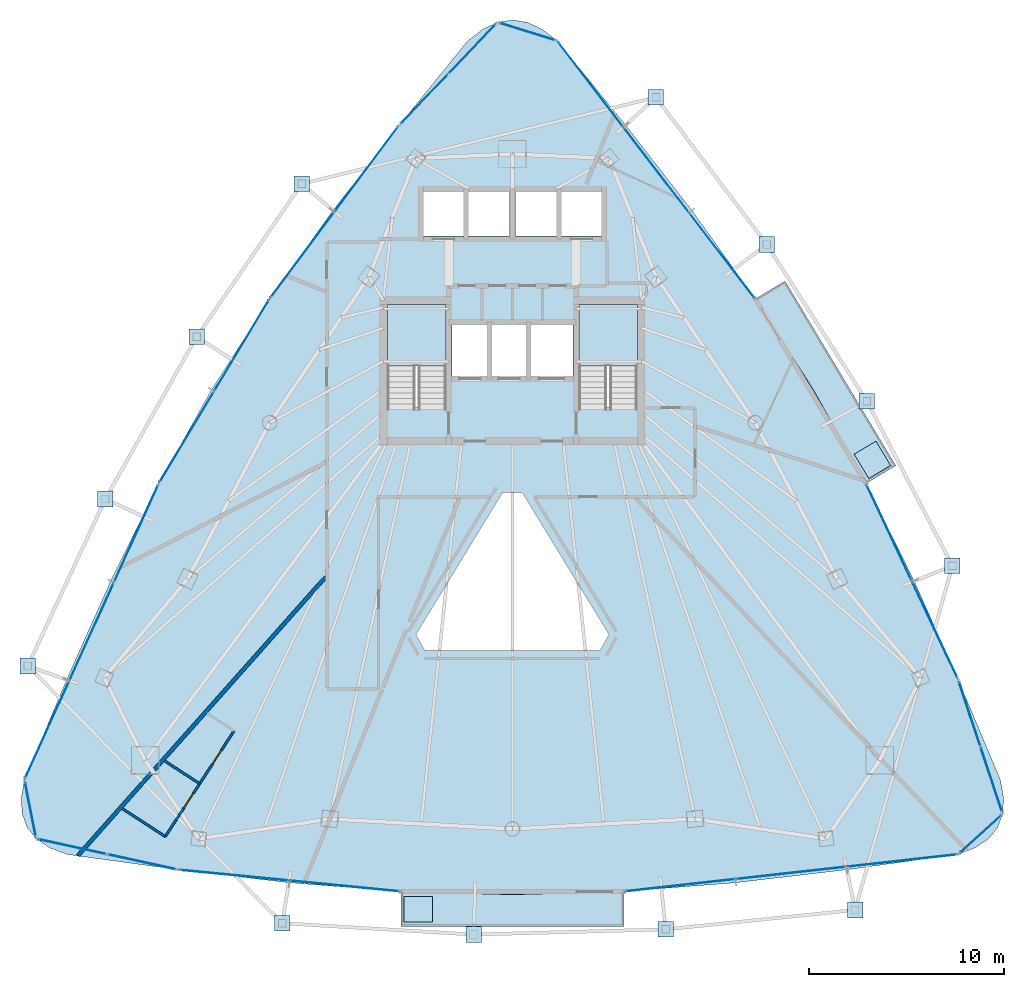
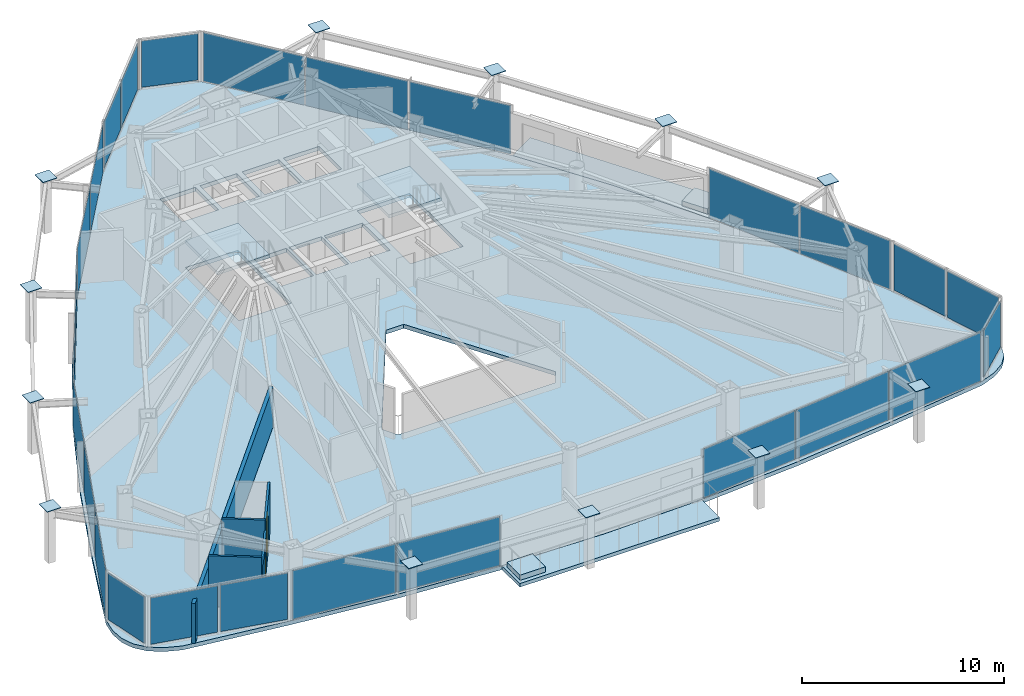
# One storey, part 26 of 31: 38 plates, 7 slabs, 5 walls, 2 doors, 2 openings, 15 elements without a shape of their own.
"""IFC4 building model written with IfcOpenShell, lengths in metres."""

from ifc_helpers import new_model, si_unit, direction, frame, frame_2d, origin, origin_2d, place, context, subcontext, project, spatial, polyline, rectangle, outline, extrude, material, layer, layer_set, type_object, element, fill, aggregate, save


model = new_model("IFC4")

# Units and contexts
model_context = context("Model", 3, precision=1e-05, world=origin(), true_north=direction((0.0, 1.0)))
body_context = subcontext(model_context, "Body", "Model", "MODEL_VIEW")
ifc_project = project(units=[si_unit("LENGTHUNIT", "METRE"), si_unit("AREAUNIT", "SQUARE_METRE"), si_unit("VOLUMEUNIT", "CUBIC_METRE"), si_unit("PLANEANGLEUNIT", "RADIAN"), si_unit("MASSUNIT", "GRAM", prefix="KILO")], contexts=[model_context])

# Site, building, storey
site_placement = place(None, origin())
site = spatial("IfcSite", under=ifc_project, at=site_placement, CompositionType="ELEMENT")
building_placement = place(site_placement, origin())
building = spatial("IfcBuilding", under=site, at=building_placement, Name="Orvanel Arch Residences", CompositionType="ELEMENT")
storey_placement = place(building_placement, frame((0.0, 0.0, 157.25)))
storey = spatial("IfcBuildingStorey", under=building, at=storey_placement, Name="L44", CompositionType="ELEMENT", Elevation=157.25)

# Plates
ifc_material_1 = material(Name="Structural steel AS/NZS 3678 Grade 350", Category="steel")
ifc_layer_1 = layer(ifc_material_1, 0.031982421875)
ifc_layer_set_1 = layer_set([ifc_layer_1], Name="Structural steel AS/NZS 3678 Grade 350")
plate_type_1 = type_object("IfcPlateType", Name="PL-CAP-32", PredefinedType="SHEET", material=ifc_layer_set_1)
for number, where, z_axis, x_axis, name in (
    (1, (22.205078125, 39.8720703125, 3.2841796875), (0.0, 0.0, 1.0), (1.0, 0.0, 0.0), "L44 hollow member end cap plate"),
    (2, (16.8330078125, 32.0419921875, 3.2841796875), (0.0, 0.0, 1.0), (1.0, 0.0, 0.0), "L44 hollow member end cap plate"),
    (3, (12.159912109375, 23.738037109375, 3.2841796875), (0.0, 0.0, 1.0), (1.0, 0.0, 0.0), "L44 hollow member end cap plate"),
    (4, (8.18701171875, 15.18505859375, 3.2841796875), (0.0, 0.0, 1.0), (1.0, 0.0, 0.0), "L44 hollow member end cap plate"),
    (5, (21.218994140625, 2.01611328125, 3.2841796875), (0.0, 0.0, 1.0), (1.0, 0.0, 0.0), "L44 hollow member end cap plate"),
    (6, (31.010009765625, 1.43798828125, 3.2841796875), (0.0, 0.0, 1.0), (1.0, 0.0, 0.0), "L44 hollow member end cap plate"),
    (7, (40.846923828125, 1.701904296875, 3.2841796875), (0.0, 0.0, 1.0), (1.0, 0.0, 0.0), "L44 hollow member end cap plate"),
    (8, (50.54296875, 2.693115234375, 3.2841796875), (0.0, 0.0, 1.0), (1.0, 0.0, 0.0), "L44 hollow member end cap plate"),
    (9, (55.528076171875, 20.31298828125, 3.2841796875), (0.0, 0.0, 1.0), (1.0, 0.0, 0.0), "L44 hollow member end cap plate"),
    (10, (51.14892578125, 28.738037109375, 3.2841796875), (0.0, 0.0, 1.0), (1.0, 0.0, 0.0), "L44 hollow member end cap plate"),
    (11, (46.02294921875, 36.77001953125, 3.2841796875), (0.0, 0.0, 1.0), (1.0, 0.0, 0.0), "L44 hollow member end cap plate"),
    (12, (40.346923828125, 44.302001953125, 3.2841796875), (0.0, 0.0, 1.0), (1.0, 0.0, 0.0), "L44 hollow member end cap plate"),
):
    element("IfcPlate", number, at=place(storey_placement, frame(where, z_axis=z_axis, x_axis=x_axis)), inside=storey, type_object=plate_type_1, Name=name, PredefinedType="SHEET", context=body_context, shape_type="SweptSolid", body=[
        extrude(rectangle(XDim=0.800048828125, YDim=0.800048828125, at=origin_2d()), origin(), (0.0, 0.0, 1.0), 0.031982421875),
    ])

# Curtain wall, plates
ifc_material_2 = material(Name="Bronze-anodised aluminium AA6063-T6", Category="aluminium")
ifc_layer_2 = layer(ifc_material_2, 0.179931640625)
ifc_layer_set_2 = layer_set([ifc_layer_2], Name="Bronze-anodised aluminium AA6063-T6")
curtain_wall_type_1 = type_object("IfcCurtainWallType", Name="CW3-MID-SYS", PredefinedType="NOTDEFINED", material=ifc_layer_set_2)
curtain_wall_1_placement = place(storey_placement, origin())
curtain_wall_1 = element("IfcCurtainWall", 13, at=curtain_wall_1_placement, inside=storey, type_object=curtain_wall_type_1, Name="L44 CW3-MID-SYS Unitised Curtain Wall", PredefinedType="NOTDEFINED")
ifc_material_3 = material(Name="Double-glazed solar-control low-E safety glass", Category="glass")
ifc_layer_3 = layer(ifc_material_3, 0.028076171875)
ifc_layer_set_3 = layer_set([ifc_layer_3], Name="Double-glazed solar-control low-E safety glass")
plate_type_2 = type_object("IfcPlateType", Name="PNL-GLZ-28", PredefinedType="CURTAIN_PANEL", material=ifc_layer_set_3)
plate_1_placement = place(storey_placement, frame((25.520751953125, 40.6259765625, 0.06005859375), z_axis=(0.0, 0.0, 1.0), x_axis=(-0.597911652775, -0.801562009751, 0.0)))
plate_1 = element("IfcPlate", 14, at=plate_1_placement, type_object=plate_type_2, Name="CW-S3 panel 1.1", PredefinedType="CURTAIN_PANEL", context=body_context, shape_type="SweptSolid", body=[
    extrude(rectangle(XDim=5.416748046875, YDim=0.028076171875, at=origin_2d()), origin(), (0.0, 0.0, 1.0), 2.93994140625),
])
plate_2_placement = place(storey_placement, frame((22.240234375, 36.22802734375, 0.06005859375), z_axis=(0.0, 0.0, 1.0), x_axis=(-0.597911652775, -0.801562009751, 0.0)))
plate_2 = element("IfcPlate", 15, at=plate_2_placement, type_object=plate_type_2, Name="CW-S3 panel 2.1", PredefinedType="CURTAIN_PANEL", context=body_context, shape_type="SweptSolid", body=[
    extrude(rectangle(XDim=5.416748046875, YDim=0.028076171875, at=origin_2d()), origin(), (0.0, 0.0, 1.0), 2.93994140625),
])
aggregate(curtain_wall_1, [plate_1, plate_2])

curtain_wall_2_placement = place(storey_placement, origin())
curtain_wall_2 = element("IfcCurtainWall", 16, at=curtain_wall_2_placement, inside=storey, type_object=curtain_wall_type_1, Name="L44 CW3-MID-SYS Unitised Curtain Wall", PredefinedType="NOTDEFINED")
plate_3_placement = place(storey_placement, frame((19.135009765625, 31.597412109375, 0.06005859375), z_axis=(0.0, 0.0, 1.0), x_axis=(-0.514415446021, -0.857541106242, 0.0)))
plate_3 = element("IfcPlate", 17, at=plate_3_placement, type_object=plate_type_2, Name="CW-S3 panel 1.1", PredefinedType="CURTAIN_PANEL", context=body_context, shape_type="SweptSolid", body=[
    extrude(rectangle(XDim=5.388671875, YDim=0.028076171875, at=origin_2d()), origin(), (0.0, 0.0, 1.0), 2.93994140625),
])
plate_4_placement = place(storey_placement, frame((16.326904296875, 26.91650390625, 0.06005859375), z_axis=(0.0, 0.0, 1.0), x_axis=(-0.514415446021, -0.857541106242, 0.0)))
plate_4 = element("IfcPlate", 18, at=plate_4_placement, type_object=plate_type_2, Name="CW-S3 panel 2.1", PredefinedType="CURTAIN_PANEL", context=body_context, shape_type="SweptSolid", body=[
    extrude(rectangle(XDim=5.388671875, YDim=0.028076171875, at=origin_2d()), origin(), (0.0, 0.0, 1.0), 2.93994140625),
])
aggregate(curtain_wall_2, [plate_3, plate_4])

curtain_wall_3_placement = place(storey_placement, origin())
curtain_wall_3 = element("IfcCurtainWall", 19, at=curtain_wall_3_placement, inside=storey, type_object=curtain_wall_type_1, Name="L44 CW3-MID-SYS Unitised Curtain Wall", PredefinedType="NOTDEFINED")
plate_5_placement = place(storey_placement, frame((13.73583984375, 21.97412109375, 0.06005859375), z_axis=(0.0, 0.0, 1.0), x_axis=(-0.413181425091, -0.910648730279, 0.0)))
plate_5 = element("IfcPlate", 20, at=plate_5_placement, type_object=plate_type_2, Name="CW-S3 panel 1.1", PredefinedType="CURTAIN_PANEL", context=body_context, shape_type="SweptSolid", body=[
    extrude(rectangle(XDim=5.431640625, YDim=0.028076171875, at=origin_2d()), origin(), (0.0, 0.0, 1.0), 2.93994140625),
])
plate_6_placement = place(storey_placement, frame((11.45556640625, 16.947998046875, 0.06005859375), z_axis=(0.0, 0.0, 1.0), x_axis=(-0.413181425091, -0.910648730279, 0.0)))
plate_6 = element("IfcPlate", 21, at=plate_6_placement, type_object=plate_type_2, Name="CW-S3 panel 2.1", PredefinedType="CURTAIN_PANEL", context=body_context, shape_type="SweptSolid", body=[
    extrude(rectangle(XDim=5.466796875, YDim=0.028076171875, at=origin_2d()), origin(), (0.0, 0.0, 1.0), 2.93994140625),
])
plate_7_placement = place(storey_placement, frame((9.175048828125, 11.921875, 0.06005859375), z_axis=(0.0, 0.0, 1.0), x_axis=(-0.413181425091, -0.910648730279, 0.0)))
plate_7 = element("IfcPlate", 22, at=plate_7_placement, type_object=plate_type_2, Name="CW-S3 panel 3.1", PredefinedType="CURTAIN_PANEL", context=body_context, shape_type="SweptSolid", body=[
    extrude(rectangle(XDim=5.431640625, YDim=0.028076171875, at=origin_2d()), origin(), (0.0, 0.0, 1.0), 2.93994140625),
])
aggregate(curtain_wall_3, [plate_5, plate_6, plate_7])

curtain_wall_4_placement = place(storey_placement, origin())
curtain_wall_4 = element("IfcCurtainWall", 23, at=curtain_wall_4_placement, inside=storey, type_object=curtain_wall_type_1, Name="L44 CW3-MID-SYS Unitised Curtain Wall", PredefinedType="NOTDEFINED")
plate_8_placement = place(storey_placement, frame((18.7666015625, 4.47314453125, 0.06005859375), z_axis=(0.0, 0.0, 1.0), x_axis=(0.995276078249, -0.097085158831, 0.0)))
plate_8 = element("IfcPlate", 24, at=plate_8_placement, type_object=plate_type_2, Name="CW-S3 panel 1.1", PredefinedType="CURTAIN_PANEL", context=body_context, shape_type="SweptSolid", body=[
    extrude(rectangle(XDim=5.6064453125, YDim=0.028076171875, at=origin_2d()), origin(), (0.0, 0.0, 1.0), 2.93994140625),
])
plate_9_placement = place(storey_placement, frame((24.416259765625, 3.921875, 0.06005859375), z_axis=(0.0, 0.0, 1.0), x_axis=(0.995276078249, -0.097085158831, 0.0)))
plate_9 = element("IfcPlate", 25, at=plate_9_placement, type_object=plate_type_2, Name="CW-S3 panel 2.1", PredefinedType="CURTAIN_PANEL", context=body_context, shape_type="SweptSolid", body=[
    extrude(rectangle(XDim=5.6064453125, YDim=0.028076171875, at=origin_2d()), origin(), (0.0, 0.0, 1.0), 2.93994140625),
])
aggregate(curtain_wall_4, [plate_8, plate_9])

curtain_wall_5_placement = place(storey_placement, origin())
curtain_wall_5 = element("IfcCurtainWall", 26, at=curtain_wall_5_placement, inside=storey, type_object=curtain_wall_type_1, Name="L44 CW3-MID-SYS Unitised Curtain Wall", PredefinedType="NOTDEFINED")
plate_10_placement = place(storey_placement, frame((41.5869140625, 3.9609375, 0.06005859375), z_axis=(0.0, 0.0, 1.0), x_axis=(0.993890122368, 0.110374021666, 0.0)))
plate_10 = element("IfcPlate", 27, at=plate_10_placement, type_object=plate_type_2, Name="CW-S3 panel 1.1", PredefinedType="CURTAIN_PANEL", context=body_context, shape_type="SweptSolid", body=[
    extrude(rectangle(XDim=5.62109375, YDim=0.028076171875, at=origin_2d()), origin(), (0.0, 0.0, 1.0), 2.93994140625),
])
plate_11_placement = place(storey_placement, frame((47.260498046875, 4.591064453125, 0.06005859375), z_axis=(0.0, 0.0, 1.0), x_axis=(0.993890122368, 0.110374021666, 0.0)))
plate_11 = element("IfcPlate", 28, at=plate_11_placement, type_object=plate_type_2, Name="CW-S3 panel 2.1", PredefinedType="CURTAIN_PANEL", context=body_context, shape_type="SweptSolid", body=[
    extrude(rectangle(XDim=5.656005859375, YDim=0.028076171875, at=origin_2d()), origin(), (0.0, 0.0, 1.0), 2.93994140625),
])
plate_12_placement = place(storey_placement, frame((52.93408203125, 5.220947265625, 0.06005859375), z_axis=(0.0, 0.0, 1.0), x_axis=(0.993890122368, 0.110374021666, 0.0)))
plate_12 = element("IfcPlate", 29, at=plate_12_placement, type_object=plate_type_2, Name="CW-S3 panel 3.1", PredefinedType="CURTAIN_PANEL", context=body_context, shape_type="SweptSolid", body=[
    extrude(rectangle(XDim=5.62109375, YDim=0.028076171875, at=origin_2d()), origin(), (0.0, 0.0, 1.0), 2.93994140625),
])
aggregate(curtain_wall_5, [plate_10, plate_11, plate_12])

curtain_wall_6_placement = place(storey_placement, origin())
curtain_wall_6 = element("IfcCurtainWall", 30, at=curtain_wall_6_placement, inside=storey, type_object=curtain_wall_type_1, Name="L44 CW3-MID-SYS Unitised Curtain Wall", PredefinedType="NOTDEFINED")
plate_13_placement = place(storey_placement, frame((54.631591796875, 17.031982421875, 0.06005859375), z_axis=(0.0, 0.0, 1.0), x_axis=(-0.425605144026, 0.90490897961, 0.0)))
plate_13 = element("IfcPlate", 31, at=plate_13_placement, type_object=plate_type_2, Name="CW-S3 panel 1.1", PredefinedType="CURTAIN_PANEL", context=body_context, shape_type="SweptSolid", body=[
    extrude(rectangle(XDim=5.41650390625, YDim=0.028076171875, at=origin_2d()), origin(), (0.0, 0.0, 1.0), 2.93994140625),
])
plate_14_placement = place(storey_placement, frame((52.29638671875, 21.996826171875, 0.06005859375), z_axis=(0.0, 0.0, 1.0), x_axis=(-0.425605144026, 0.90490897961, 0.0)))
plate_14 = element("IfcPlate", 32, at=plate_14_placement, type_object=plate_type_2, Name="CW-S3 panel 2.1", PredefinedType="CURTAIN_PANEL", context=body_context, shape_type="SweptSolid", body=[
    extrude(rectangle(XDim=5.41650390625, YDim=0.028076171875, at=origin_2d()), origin(), (0.0, 0.0, 1.0), 2.93994140625),
])
aggregate(curtain_wall_6, [plate_13, plate_14])

curtain_wall_7_placement = place(storey_placement, origin())
curtain_wall_7 = element("IfcCurtainWall", 33, at=curtain_wall_7_placement, inside=storey, type_object=curtain_wall_type_1, Name="L44 CW3-MID-SYS Unitised Curtain Wall", PredefinedType="NOTDEFINED")
plate_15_placement = place(storey_placement, frame((43.724609375, 36.210693359375, 0.06005859375), z_axis=(0.0, 0.0, 1.0), x_axis=(-0.608930688155, 0.793223434489, 0.0)))
plate_15 = element("IfcPlate", 34, at=plate_15_placement, type_object=plate_type_2, Name="CW-S3 panel 1.1", PredefinedType="CURTAIN_PANEL", context=body_context, shape_type="SweptSolid", body=[
    extrude(rectangle(XDim=5.431396484375, YDim=0.028076171875, at=origin_2d()), origin(), (0.0, 0.0, 1.0), 2.93994140625),
])
plate_16_placement = place(storey_placement, frame((40.364013671875, 40.58837890625, 0.06005859375), z_axis=(0.0, 0.0, 1.0), x_axis=(-0.608930688155, 0.793223434489, 0.0)))
plate_16 = element("IfcPlate", 35, at=plate_16_placement, type_object=plate_type_2, Name="CW-S3 panel 2.1", PredefinedType="CURTAIN_PANEL", context=body_context, shape_type="SweptSolid", body=[
    extrude(rectangle(XDim=5.466552734375, YDim=0.028076171875, at=origin_2d()), origin(), (0.0, 0.0, 1.0), 2.93994140625),
])
plate_17_placement = place(storey_placement, frame((37.00341796875, 44.96630859375, 0.06005859375), z_axis=(0.0, 0.0, 1.0), x_axis=(-0.608930688155, 0.793223434489, 0.0)))
plate_17 = element("IfcPlate", 36, at=plate_17_placement, type_object=plate_type_2, Name="CW-S3 panel 3.1", PredefinedType="CURTAIN_PANEL", context=body_context, shape_type="SweptSolid", body=[
    extrude(rectangle(XDim=5.431396484375, YDim=0.028076171875, at=origin_2d()), origin(), (0.0, 0.0, 1.0), 2.93994140625),
])
aggregate(curtain_wall_7, [plate_15, plate_16, plate_17])

# Curtain wall, plate
ifc_layer_4 = layer(ifc_material_2, 0.18994140625)
ifc_layer_set_4 = layer_set([ifc_layer_4], Name="Bronze-anodised aluminium AA6063-T6")
curtain_wall_type_2 = type_object("IfcCurtainWallType", Name="CW5-CRN-SYS", PredefinedType="NOTDEFINED", material=ifc_layer_set_4)
curtain_wall_8_placement = place(storey_placement, origin())
curtain_wall_8 = element("IfcCurtainWall", 37, at=curtain_wall_8_placement, inside=storey, type_object=curtain_wall_type_2, Name="L44 CW5-CRN-SYS Unitised Curtain Wall", PredefinedType="NOTDEFINED")
ifc_layer_5 = layer(ifc_material_3, 0.031982421875)
ifc_layer_set_5 = layer_set([ifc_layer_5], Name="Double-glazed solar-control low-E safety glass")
plate_type_3 = type_object("IfcPlateType", Name="PNL-GLZ-32", PredefinedType="CURTAIN_PANEL", material=ifc_layer_set_5)
plate_18_placement = place(storey_placement, frame((33.764892578125, 47.66796875, 0.1298828125), z_axis=(0.0, 0.0, 1.0), x_axis=(-0.954872708799, 0.297015336288, 0.0)))
plate_18 = element("IfcPlate", 38, at=plate_18_placement, type_object=plate_type_3, Name="CW-S5 panel 1.1", PredefinedType="CURTAIN_PANEL", context=body_context, shape_type="SweptSolid", body=[
    extrude(rectangle(XDim=2.86474609375, YDim=0.031982421875, at=origin_2d()), origin(), (0.0, 0.0, 1.0), 2.800048828125),
])
aggregate(curtain_wall_8, [plate_18])

# Curtain wall, plates
curtain_wall_9_placement = place(storey_placement, origin())
curtain_wall_9 = element("IfcCurtainWall", 39, at=curtain_wall_9_placement, inside=storey, type_object=curtain_wall_type_2, Name="L44 CW5-CRN-SYS Unitised Curtain Wall", PredefinedType="NOTDEFINED")
plate_19_placement = place(storey_placement, frame((30.94189453125, 46.791015625, 0.1298828125), z_axis=(0.0, 0.0, 1.0), x_axis=(-0.69080014446, -0.723045752642, 0.0)))
plate_19 = element("IfcPlate", 40, at=plate_19_placement, type_object=plate_type_3, Name="CW-S5 panel 1.1", PredefinedType="CURTAIN_PANEL", context=body_context, shape_type="SweptSolid", body=[
    extrude(rectangle(XDim=3.4033203125, YDim=0.031982421875, at=origin_2d()), origin(), (0.0, 0.0, 1.0), 2.800048828125),
])
plate_20_placement = place(storey_placement, frame((28.487060546875, 44.221923828125, 0.1298828125), z_axis=(0.0, 0.0, 1.0), x_axis=(-0.69080014446, -0.723045752642, 0.0)))
plate_20 = element("IfcPlate", 41, at=plate_20_placement, type_object=plate_type_3, Name="CW-S5 panel 2.1", PredefinedType="CURTAIN_PANEL", context=body_context, shape_type="SweptSolid", body=[
    extrude(rectangle(XDim=3.4033203125, YDim=0.031982421875, at=origin_2d()), origin(), (0.0, 0.0, 1.0), 2.800048828125),
])
aggregate(curtain_wall_9, [plate_19, plate_20])

# Curtain wall, plate
curtain_wall_10_placement = place(storey_placement, origin())
curtain_wall_10 = element("IfcCurtainWall", 42, at=curtain_wall_10_placement, inside=storey, type_object=curtain_wall_type_2, Name="L44 CW5-CRN-SYS Unitised Curtain Wall", PredefinedType="NOTDEFINED")
plate_21_placement = place(storey_placement, frame((8.3173828125, 7.853515625, 0.1298828125), z_axis=(0.0, 0.0, 1.0), x_axis=(0.195358384081, -0.980731921459, 0.0)))
plate_21 = element("IfcPlate", 43, at=plate_21_placement, type_object=plate_type_3, Name="CW-S5 panel 1.1", PredefinedType="CURTAIN_PANEL", context=body_context, shape_type="SweptSolid", body=[
    extrude(rectangle(XDim=2.74560546875, YDim=0.031982421875, at=origin_2d()), origin(), (0.0, 0.0, 1.0), 2.800048828125),
])
aggregate(curtain_wall_10, [plate_21])

# Curtain wall, plates
curtain_wall_11_placement = place(storey_placement, origin())
curtain_wall_11 = element("IfcCurtainWall", 44, at=curtain_wall_11_placement, inside=storey, type_object=curtain_wall_type_2, Name="L44 CW5-CRN-SYS Unitised Curtain Wall", PredefinedType="NOTDEFINED")
plate_22_placement = place(storey_placement, frame((10.482666015625, 5.93359375, 0.1298828125), z_axis=(0.0, 0.0, 1.0), x_axis=(0.976988114097, -0.213293752637, 0.0)))
plate_22 = element("IfcPlate", 45, at=plate_22_placement, type_object=plate_type_3, Name="CW-S5 panel 1.1", PredefinedType="CURTAIN_PANEL", context=body_context, shape_type="SweptSolid", body=[
    extrude(rectangle(XDim=3.47412109375, YDim=0.031982421875, at=origin_2d()), origin(), (0.0, 0.0, 1.0), 2.800048828125),
])
plate_23_placement = place(storey_placement, frame((14.0234375, 5.160400390625, 0.1298828125), z_axis=(0.0, 0.0, 1.0), x_axis=(0.976988114097, -0.213293752637, 0.0)))
plate_23 = element("IfcPlate", 46, at=plate_23_placement, type_object=plate_type_3, Name="CW-S5 panel 2.1", PredefinedType="CURTAIN_PANEL", context=body_context, shape_type="SweptSolid", body=[
    extrude(rectangle(XDim=3.47412109375, YDim=0.031982421875, at=origin_2d()), origin(), (0.0, 0.0, 1.0), 2.800048828125),
])
aggregate(curtain_wall_11, [plate_22, plate_23])

# Curtain wall, plate
curtain_wall_12_placement = place(storey_placement, origin())
curtain_wall_12 = element("IfcCurtainWall", 47, at=curtain_wall_12_placement, inside=storey, type_object=curtain_wall_type_2, Name="L44 CW5-CRN-SYS Unitised Curtain Wall", PredefinedType="NOTDEFINED")
plate_24_placement = place(storey_placement, frame((56.9599609375, 6.57861328125, 0.1298828125), z_axis=(0.0, 0.0, 1.0), x_axis=(0.740251787651, 0.672329748621, 0.0)))
plate_24 = element("IfcPlate", 48, at=plate_24_placement, type_object=plate_type_3, Name="CW-S5 panel 1.1", PredefinedType="CURTAIN_PANEL", context=body_context, shape_type="SweptSolid", body=[
    extrude(rectangle(XDim=2.74755859375, YDim=0.031982421875, at=origin_2d()), origin(), (0.0, 0.0, 1.0), 2.800048828125),
])
aggregate(curtain_wall_12, [plate_24])

# Curtain wall, plates
curtain_wall_13_placement = place(storey_placement, origin())
curtain_wall_13 = element("IfcCurtainWall", 49, at=curtain_wall_13_placement, inside=storey, type_object=curtain_wall_type_2, Name="L44 CW5-CRN-SYS Unitised Curtain Wall", PredefinedType="NOTDEFINED")
plate_25_placement = place(storey_placement, frame((57.518310546875, 9.382080078125, 0.1298828125), z_axis=(0.0, 0.0, 1.0), x_axis=(-0.314480118, 0.949264059882, 0.0)))
plate_25 = element("IfcPlate", 50, at=plate_25_placement, type_object=plate_type_3, Name="CW-S5 panel 1.1", PredefinedType="CURTAIN_PANEL", context=body_context, shape_type="SweptSolid", body=[
    extrude(rectangle(XDim=3.380859375, YDim=0.031982421875, at=origin_2d()), origin(), (0.0, 0.0, 1.0), 2.800048828125),
])
plate_26_placement = place(storey_placement, frame((56.40771484375, 12.73388671875, 0.1298828125), z_axis=(0.0, 0.0, 1.0), x_axis=(-0.314480118, 0.949264059882, 0.0)))
plate_26 = element("IfcPlate", 51, at=plate_26_placement, type_object=plate_type_3, Name="CW-S5 panel 2.1", PredefinedType="CURTAIN_PANEL", context=body_context, shape_type="SweptSolid", body=[
    extrude(rectangle(XDim=3.380859375, YDim=0.031982421875, at=origin_2d()), origin(), (0.0, 0.0, 1.0), 2.800048828125),
])
aggregate(curtain_wall_13, [plate_25, plate_26])

# Slabs
ifc_material_4 = material(Name="Concrete N40 (40 MPa)", Category="concrete")
ifc_layer_6 = layer(ifc_material_4, 0.215087890625)
ifc_layer_set_6 = layer_set([ifc_layer_6], Name="Concrete N40 (40 MPa)")
slab_type_1 = type_object("IfcSlabType", Name="SLB-BAL-215", PredefinedType="FLOOR", material=ifc_layer_set_6)
slab_1_placement = place(storey_placement, frame((0.0, 0.0, -0.215087890625)))
element("IfcSlab", 52, at=slab_1_placement, inside=storey, type_object=slab_type_1, Name="L44 Cantilevered Balcony Slab Face 2", PredefinedType="FLOOR", context=body_context, shape_type="SweptSolid", body=[
    extrude(outline(polyline([(27.2958984375, 1.861083984375), (38.7041015625, 1.861083984375), (38.7041015625, 3.64111328125), (33.0, 3.48388671875), (27.2958984375, 3.64111328125), (27.2958984375, 1.861083984375)])), origin(), (0.0, 0.0, 1.0), 0.215087890625),
])
slab_2_placement = place(storey_placement, frame((0.0, 0.0, -0.215087890625)))
element("IfcSlab", 53, at=slab_2_placement, inside=storey, type_object=slab_type_1, Name="L44 Cantilevered Balcony Slab Face 3", PredefinedType="FLOOR", context=body_context, shape_type="SweptSolid", body=[
    extrude(outline(polyline([(52.632080078125, 25.444091796875), (46.958984375, 34.90087890625), (45.43310546875, 33.985107421875), (48.403076171875, 29.3369140625), (51.10498046875, 24.529052734375), (52.632080078125, 25.444091796875)])), origin(), (0.0, 0.0, 1.0), 0.215087890625),
])

# Stair, slab
ifc_material_5 = material(Name="Precast concrete N50 (50 MPa)", Category="concrete")
stair_type = type_object("IfcStairType", Name="STR-DOG-184", PredefinedType="USERDEFINED", material=ifc_material_5)
stair_1_placement = place(storey_placement, origin())
stair_1 = element("IfcStair", 54, at=stair_1_placement, inside=storey, type_object=stair_type, Name="L44 Fire-Isolated Core Exit Stair 1", ObjectType="TWO_RETURN_STAIR", PredefinedType="USERDEFINED")
ifc_layer_7 = layer(ifc_material_4, 0.199951171875)
ifc_layer_set_7 = layer_set([ifc_layer_7], Name="Concrete N40 (40 MPa)")
slab_type_2 = type_object("IfcSlabType", Name="SLB-LND-200", PredefinedType="LANDING", material=ifc_layer_set_7)
slab_3_placement = place(storey_placement, frame((0.0, 0.0, 1.449951171875)))
slab_3 = element("IfcSlab", 55, at=slab_3_placement, type_object=slab_type_2, Name="ST-1 landing 1", PredefinedType="LANDING", context=body_context, shape_type="SweptSolid", body=[
    extrude(outline(polyline([(29.60009765625, 30.56005859375), (29.60009765625, 33.699951171875), (26.60009765625, 33.699951171875), (26.60009765625, 30.56005859375), (29.60009765625, 30.56005859375)])), origin(), (0.0, 0.0, 1.0), 0.199951171875),
])
aggregate(stair_1, [slab_3])

stair_2_placement = place(storey_placement, origin())
stair_2 = element("IfcStair", 56, at=stair_2_placement, inside=storey, type_object=stair_type, Name="L44 Fire-Isolated Core Exit Stair 2", ObjectType="TWO_RETURN_STAIR", PredefinedType="USERDEFINED")
slab_4_placement = place(storey_placement, frame((0.0, 0.0, 1.449951171875)))
slab_4 = element("IfcSlab", 57, at=slab_4_placement, type_object=slab_type_2, Name="ST-2 landing 1", PredefinedType="LANDING", context=body_context, shape_type="SweptSolid", body=[
    extrude(outline(polyline([(39.39990234375, 30.56005859375), (39.39990234375, 33.699951171875), (36.39990234375, 33.699951171875), (36.39990234375, 30.56005859375), (39.39990234375, 30.56005859375)])), origin(), (0.0, 0.0, 1.0), 0.199951171875),
])
aggregate(stair_2, [slab_4])

# Slabs
ifc_material_6 = material(Name="Structural architectural precast concrete N40 (40 MPa) planter", Category="concrete")
ifc_layer_8 = layer(ifc_material_6, 0.320068359375)
ifc_layer_set_8 = layer_set([ifc_layer_8], Name="Structural architectural precast concrete N40 (40 MPa) planter")
slab_type_3 = type_object("IfcSlabType", Name="SLB-PLN-320", PredefinedType="USERDEFINED", material=ifc_layer_set_8)
slab_5_placement = place(storey_placement, origin())
element("IfcSlab", 58, at=slab_5_placement, inside=storey, type_object=slab_type_3, Name="L44 Balcony TREE PLANTER Face 2", ObjectType="PLANTER", PredefinedType="USERDEFINED", context=body_context, shape_type="SweptSolid", body=[
    extrude(outline(polyline([(27.446044921875, 2.091064453125), (28.89599609375, 2.091064453125), (28.89599609375, 3.39111328125), (27.446044921875, 3.39111328125), (27.446044921875, 2.091064453125)])), origin(), (0.0, 0.0, 1.0), 0.320068359375),
])
slab_6_placement = place(storey_placement, origin())
element("IfcSlab", 59, at=slab_6_placement, inside=storey, type_object=slab_type_3, Name="L44 Balcony TREE PLANTER Face 3", ObjectType="PLANTER", PredefinedType="USERDEFINED", context=body_context, shape_type="SweptSolid", body=[
    extrude(outline(polyline([(52.35693359375, 25.455078125), (51.611083984375, 26.697998046875), (50.49609375, 26.029052734375), (51.241943359375, 24.785888671875), (52.35693359375, 25.455078125)])), origin(), (0.0, 0.0, 1.0), 0.320068359375),
])
ifc_layer_9 = layer(ifc_material_4, 0.239990234375)
ifc_layer_set_9 = layer_set([ifc_layer_9], Name="Concrete N40 (40 MPa)")
slab_type_4 = type_object("IfcSlabType", Name="SLB-TYP-240", PredefinedType="FLOOR", material=ifc_layer_set_9)
slab_7_placement = place(storey_placement, frame((0.0, 0.0, -0.239990234375)))
element("IfcSlab", 60, at=slab_7_placement, inside=storey, type_object=slab_type_4, Name="L44 Tower Floor Slab", PredefinedType="FLOOR", context=body_context, shape_type="SweptSolid", body=[
    extrude(outline(polyline([(35.294921875, 47.19189453125), (34.530029296875, 47.787109375), (33.764892578125, 48.14404296875), (33.0, 48.262939453125), (32.235107421875, 48.14404296875), (31.469970703125, 47.787109375), (30.7041015625, 47.19189453125), (27.194091796875, 42.868896484375), (23.784912109375, 38.48388671875), (20.56689453125, 33.985107421875), (17.596923828125, 29.3369140625), (14.89501953125, 24.529052734375), (12.44091796875, 19.572021484375), (10.177001953125, 14.5), (8.01611328125, 9.366943359375), (7.85107421875, 8.431884765625), (7.89697265625, 7.615966796875), (8.153076171875, 6.91796875), (8.618896484375, 6.340087890625), (9.2958984375, 5.881103515625), (10.18310546875, 5.541015625), (15.886962890625, 4.75390625), (21.591064453125, 4.0869140625), (27.2958984375, 3.64111328125), (33.0, 3.48388671875), (38.7041015625, 3.64111328125), (44.408935546875, 4.0869140625), (50.113037109375, 4.75390625), (55.81689453125, 5.541015625), (56.7041015625, 5.881103515625), (57.381103515625, 6.340087890625), (57.846923828125, 6.91796875), (58.10302734375, 7.615966796875), (58.14892578125, 8.431884765625), (57.98388671875, 9.366943359375), (55.822998046875, 14.5), (53.55908203125, 19.572021484375), (51.10498046875, 24.529052734375), (48.403076171875, 29.3369140625), (45.43310546875, 33.985107421875), (42.215087890625, 38.48388671875), (38.805908203125, 42.868896484375), (35.294921875, 47.19189453125)]), holes=[polyline([(26.60009765625, 28.429931640625), (26.60009765625, 33.699951171875), (29.60009765625, 33.699951171875), (29.60009765625, 28.429931640625), (26.60009765625, 28.429931640625)]), polyline([(36.39990234375, 28.429931640625), (36.39990234375, 33.699951171875), (39.39990234375, 33.699951171875), (39.39990234375, 28.429931640625), (36.39990234375, 28.429931640625)]), polyline([(29.89990234375, 32.64990234375), (31.75, 32.64990234375), (31.75, 29.949951171875), (29.89990234375, 29.949951171875), (29.89990234375, 32.64990234375)]), polyline([(31.89990234375, 32.64990234375), (33.75, 32.64990234375), (33.75, 29.949951171875), (31.89990234375, 29.949951171875), (31.89990234375, 32.64990234375)]), polyline([(33.89990234375, 32.64990234375), (36.10009765625, 32.64990234375), (36.10009765625, 29.949951171875), (33.89990234375, 29.949951171875), (33.89990234375, 32.64990234375)]), polyline([(28.449951171875, 39.449951171875), (30.5, 39.449951171875), (30.5, 37.199951171875), (28.449951171875, 37.199951171875), (28.449951171875, 39.449951171875)]), polyline([(35.5, 39.449951171875), (37.550048828125, 39.449951171875), (37.550048828125, 37.199951171875), (35.5, 37.199951171875), (35.5, 39.449951171875)]), polyline([(30.75, 39.449951171875), (32.85009765625, 39.449951171875), (32.85009765625, 37.199951171875), (30.75, 37.199951171875), (30.75, 39.449951171875)]), polyline([(33.14990234375, 39.449951171875), (35.25, 39.449951171875), (35.25, 37.199951171875), (33.14990234375, 37.199951171875), (33.14990234375, 39.449951171875)]), polyline([(37.9541015625, 16.7958984375), (37.492919921875, 15.97509765625), (28.506103515625, 15.97509765625), (28.0458984375, 16.7958984375), (32.498046875, 24.0791015625), (33.501953125, 24.0791015625), (37.9541015625, 16.7958984375)])]), origin(), (0.0, 0.0, 1.0), 0.239990234375),
])

# Wall
ifc_material_7 = material(Name="Fire-rated plasterboard lined steel stud partition", Category="steel")
ifc_layer_10 = layer(ifc_material_7, 0.199951171875)
ifc_layer_set_10 = layer_set([ifc_layer_10], Name="Fire-rated plasterboard lined steel stud partition")
wall_type_1 = type_object("IfcWallType", Name="W-DEM-200", PredefinedType="PARTITIONING", material=ifc_layer_set_10)
wall_1_placement = place(storey_placement, frame((23.43994140625, 19.7470703125, 0.0), z_axis=(0.0, 0.0, 1.0), x_axis=(-0.664444771995, -0.747337370248, 0.0)))
element("IfcWall", 61, at=wall_1_placement, inside=storey, type_object=wall_type_1, Name="L44 Inter-Tenancy Acoustic Demising Wall", PredefinedType="PARTITIONING", context=body_context, shape_type="SweptSolid", body=[
    extrude(rectangle(XDim=19.09716796875, YDim=0.199951171875, at=frame_2d((9.548583984375, 0.0))), origin(), (0.0, 0.0, 1.0), 2.4130859375),
])

# Wall, opening, door
ifc_material_8 = material(Name="Acoustic plasterboard lined twin-stud partition", Category="gypsum")
ifc_layer_11 = layer(ifc_material_8, 0.1201171875)
ifc_layer_set_11 = layer_set([ifc_layer_11], Name="Acoustic plasterboard lined twin-stud partition")
wall_type_2 = type_object("IfcWallType", Name="W-WET-120", PredefinedType="PARTITIONING", material=ifc_layer_set_11)
wall_2_placement = place(storey_placement, frame((16.986083984375, 9.159912109375, 0.0), z_axis=(0.0, 0.0, 1.0), x_axis=(0.545222266406, 0.8382915246, 0.0)))
wall_2 = element("IfcWall", 62, at=wall_2_placement, inside=storey, type_object=wall_type_2, Name="L44 Studio A Bathroom Partition", PredefinedType="PARTITIONING", context=body_context, shape_type="SweptSolid", body=[
    extrude(rectangle(XDim=3.22802734375, YDim=0.1201171875, at=frame_2d((1.614013671875, 0.0))), origin(), (0.0, 0.0, 1.0), 3.06005859375),
])
opening_1_placement = place(wall_2_placement, frame((1.2041015625, 0.0, 0.0)))
opening_1 = element("IfcOpeningElement", 63, at=opening_1_placement, cuts=wall_2, Name="Opening DW-082", PredefinedType="OPENING", context=body_context, shape_type="SweptSolid", body=[
    extrude(rectangle(XDim=0.820068359375, YDim=2.10009765625, at=frame_2d((0.41015625, 1.050048828125))), frame((0.0, 0.070068359375, 0.0), z_axis=(0.0, -1.0, 0.0), x_axis=(1.0, 0.0, 0.0)), (0.0, 0.0, 1.0), 0.14013671875),
])
ifc_material_9 = material(Name="Solid-core European oak veneer fire door leaf", Category="wood")
door_type_1 = type_object("IfcDoorType", Name="DR-WET-820", OperationType="NOTDEFINED", PredefinedType="DOOR", material=ifc_material_9)
door_1_placement = place(opening_1_placement, origin())
door_1 = element("IfcDoor", 64, at=door_1_placement, inside=storey, type_object=door_type_1, Name="DR-L44-A-BATH L44 Studio A Bathroom Door", OperationType="SINGLE_SWING_RIGHT", OverallHeight=2.10009765625, OverallWidth=0.820068359375, PredefinedType="DOOR", context=body_context, shape_type="SweptSolid", body=[
    extrude(rectangle(XDim=0.820068359375, YDim=2.10009765625, at=frame_2d((0.41015625, 1.050048828125))), frame((0.0, 0.02490234375, 0.0), z_axis=(0.0, -1.0, 0.0), x_axis=(1.0, 0.0, 0.0)), (0.0, 0.0, 1.0), 0.050048828125),
])
fill(opening_1, door_1)

# Wall
wall_3_placement = place(storey_placement, frame((13.013916015625, 7.89306640625, 0.0), z_axis=(0.0, 0.0, 1.0), x_axis=(0.838149605573, -0.545440407999, 0.0)))
element("IfcWall", 65, at=wall_3_placement, inside=storey, type_object=wall_type_2, Name="L44 Studio A Internal Partition", PredefinedType="PARTITIONING", context=body_context, shape_type="SweptSolid", body=[
    extrude(rectangle(XDim=2.63818359375, YDim=0.1201171875, at=frame_2d((1.319091796875, 0.0))), origin(), (0.0, 0.0, 1.0), 3.06005859375),
])

# Wall, opening, door
wall_4_placement = place(storey_placement, frame((15.22509765625, 6.4541015625, 0.0), z_axis=(0.0, 0.0, 1.0), x_axis=(0.54546937792, 0.838130752181, 0.0)))
wall_4 = element("IfcWall", 66, at=wall_4_placement, inside=storey, type_object=wall_type_2, Name="L44 Studio A Internal Partition", PredefinedType="PARTITIONING", context=body_context, shape_type="SweptSolid", body=[
    extrude(rectangle(XDim=3.228271484375, YDim=0.1201171875, at=frame_2d((1.6142578125, 0.0))), origin(), (0.0, 0.0, 1.0), 2.4130859375),
])
opening_2_placement = place(wall_4_placement, frame((1.743896484375, 0.0, 0.0)))
opening_2 = element("IfcOpeningElement", 67, at=opening_2_placement, cuts=wall_4, Name="Opening DI-088", PredefinedType="OPENING", context=body_context, shape_type="SweptSolid", body=[
    extrude(rectangle(XDim=0.8798828125, YDim=2.10009765625, at=frame_2d((0.43994140625, 1.050048828125))), frame((0.0, 0.070068359375, 0.0), z_axis=(0.0, -1.0, 0.0), x_axis=(1.0, 0.0, 0.0)), (0.0, 0.0, 1.0), 0.14013671875),
])
door_type_2 = type_object("IfcDoorType", Name="DR-INT-880", OperationType="NOTDEFINED", PredefinedType="DOOR", material=ifc_material_9)
door_2_placement = place(opening_2_placement, origin())
door_2 = element("IfcDoor", 68, at=door_2_placement, inside=storey, type_object=door_type_2, Name="DR-L44-A-KIT L44 Studio A Kitchenette Door", OperationType="SINGLE_SWING_LEFT", OverallHeight=2.10009765625, OverallWidth=0.8798828125, PredefinedType="DOOR", context=body_context, shape_type="SweptSolid", body=[
    extrude(rectangle(XDim=0.8798828125, YDim=2.10009765625, at=frame_2d((0.43994140625, 1.050048828125))), frame((0.0, 0.02490234375, 0.0), z_axis=(0.0, -1.0, 0.0), x_axis=(1.0, 0.0, 0.0)), (0.0, 0.0, 1.0), 0.050048828125),
])
fill(opening_2, door_2)

# Wall
wall_5_placement = place(storey_placement, frame((16.986083984375, 9.159912109375, 0.0), z_axis=(0.0, 0.0, 1.0), x_axis=(-0.838062073647, 0.545574890106, 0.0)))
element("IfcWall", 69, at=wall_5_placement, inside=storey, type_object=wall_type_2, Name="L44 Studio A Bathroom Partition", PredefinedType="PARTITIONING", context=body_context, shape_type="SweptSolid", body=[
    extrude(rectangle(XDim=2.150146484375, YDim=0.1201171875, at=frame_2d((1.0751953125, 0.0))), origin(), (0.0, 0.0, 1.0), 3.06005859375),
])

save(model, "model.ifc")
